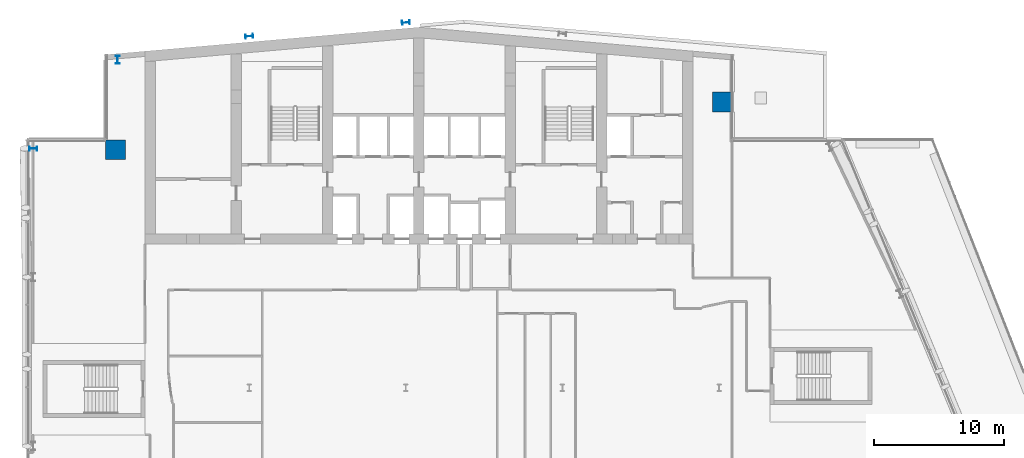
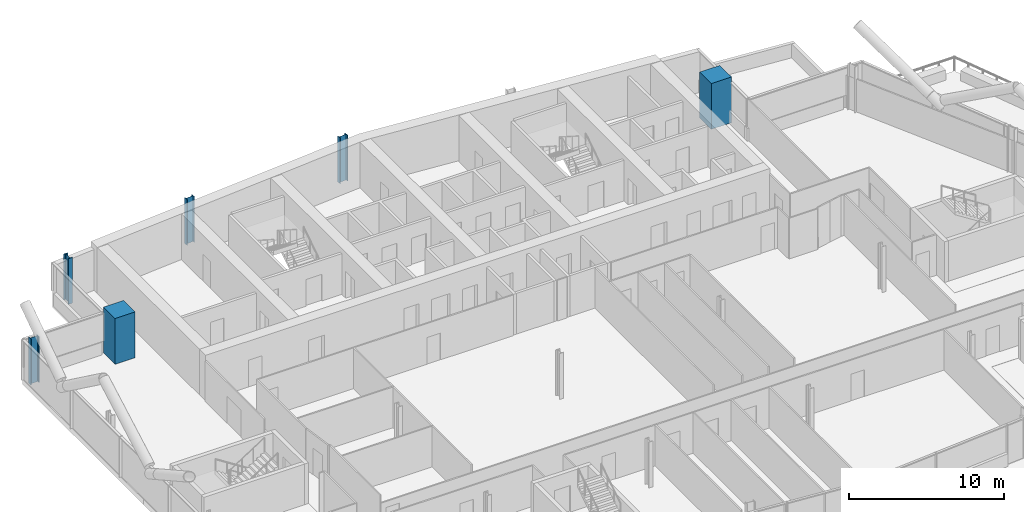
# One storey, part 3 of 30: 6 columns.
"""IFC4 building model written with IfcOpenShell, lengths in metres."""

from ifc_helpers import new_model, si_unit, direction, frame, origin, origin_2d, place, context, subcontext, project, spatial, rectangle, i_section, extrude, material, material_profile, profile_set, type_object, element, save


model = new_model("IFC4")

# Units and contexts
model_context = context("Model", 3, precision=1e-05, world=origin(), true_north=direction((0.0, 1.0)))
body_context = subcontext(model_context, "Body", "Model", "MODEL_VIEW")
ifc_project = project(units=[si_unit("LENGTHUNIT", "METRE"), si_unit("AREAUNIT", "SQUARE_METRE"), si_unit("VOLUMEUNIT", "CUBIC_METRE"), si_unit("PLANEANGLEUNIT", "RADIAN"), si_unit("MASSUNIT", "GRAM", prefix="KILO")], contexts=[model_context])

# Site, building, storey
site_placement = place(None, origin())
site = spatial("IfcSite", under=ifc_project, at=site_placement, CompositionType="ELEMENT")
building_placement = place(site_placement, origin())
building = spatial("IfcBuilding", under=site, at=building_placement, Name="Wharfspan Tower", CompositionType="ELEMENT")
storey_placement = place(building_placement, frame((0.0, 0.0, 151.899902)))
storey = spatial("IfcBuildingStorey", under=building, at=storey_placement, Name="L36", CompositionType="ELEMENT", Elevation=151.899902)

# Columns
ifc_material_1 = material(Name="Steel S355J2", Category="steel")
ifc_material_profile_1 = material_profile(ifc_material_1, i_section(OverallWidth=0.300049, OverallDepth=0.600098, WebThickness=0.015381, FlangeThickness=0.030029, FilletRadius=0.0271, at=origin_2d()))
ifc_profile_set_1 = profile_set([ifc_material_profile_1], Name="Steel S355J2")
column_type_1 = type_object("IfcColumnType", Name="Column HEB 600", PredefinedType="COLUMN", material=ifc_profile_set_1)
for number, where, z_axis, x_axis, name in (
    (1, (24.0, 49.937256, 0.0), (0.0, 0.0, 1.0), (-0.087156, 0.996198, 0.0), "Rear column R.1 L36"),
    (2, (36.0, 50.987061, 0.0), (0.0, 0.0, 1.0), (-0.087156, 0.996198, 0.0), "Rear column R.2 L36"),
):
    element("IfcColumn", number, at=place(storey_placement, frame(where, z_axis=z_axis, x_axis=x_axis)), inside=storey, type_object=column_type_1, Name=name, PredefinedType="COLUMN", context=body_context, shape_type="SweptSolid", body=[
        extrude(i_section(OverallWidth=0.300049, OverallDepth=0.600098, WebThickness=0.015381, FlangeThickness=0.030029, FilletRadius=0.0271, at=origin_2d()), origin(), (0.0, 0.0, 1.0), 3.600098),
    ])
ifc_material_profile_2 = material_profile(ifc_material_1, i_section(OverallWidth=0.304932, OverallDepth=0.620117, WebThickness=0.020996, FlangeThickness=0.040039, FilletRadius=0.0271, at=origin_2d()))
ifc_profile_set_2 = profile_set([ifc_material_profile_2], Name="Steel S355J2")
column_type_2 = type_object("IfcColumnType", Name="Column HEM 600", PredefinedType="COLUMN", material=ifc_profile_set_2)
for number, where, z_axis, x_axis, name in (
    (3, (13.911133, 48.141113, 0.0), (0.0, 0.0, 1.0), (-1.0, 0.0, 0.0), "Perimeter column PNRW-V.1 L36"),
    (4, (7.450439, 41.333008, 0.0), (0.0, 0.0, 1.0), (0.0, 1.0, 0.0), "Perimeter column PNRW-H.1 L36"),
):
    element("IfcColumn", number, at=place(storey_placement, frame(where, z_axis=z_axis, x_axis=x_axis)), inside=storey, type_object=column_type_2, Name=name, PredefinedType="COLUMN", context=body_context, shape_type="SweptSolid", body=[
        extrude(i_section(OverallWidth=0.304932, OverallDepth=0.620117, WebThickness=0.020996, FlangeThickness=0.040039, FilletRadius=0.0271, at=origin_2d()), origin(), (0.0, 0.0, 1.0), 3.600098),
    ])
ifc_material_2 = material(Name="Concrete C60/75", Category="concrete")
ifc_material_profile_3 = material_profile(ifc_material_2, rectangle(XDim=1.5, YDim=1.5, at=origin_2d()))
ifc_profile_set_3 = profile_set([ifc_material_profile_3], Name="Concrete C60/75")
column_type_3 = type_object("IfcColumnType", Name="Mega column 1500 C60/75", PredefinedType="COLUMN", material=ifc_profile_set_3)
for number, where, z_axis, x_axis, name in (
    (5, (13.75, 41.25, 0.0), (0.0, 0.0, 1.0), (1.0, 0.0, 0.0), "Mega column MC2 L36"),
    (6, (60.25, 44.899902, 0.0), (0.0, 0.0, 1.0), (1.0, 0.0, 0.0), "Mega column MC3 L36"),
):
    element("IfcColumn", number, at=place(storey_placement, frame(where, z_axis=z_axis, x_axis=x_axis)), inside=storey, type_object=column_type_3, Name=name, PredefinedType="COLUMN", context=body_context, shape_type="SweptSolid", body=[
        extrude(rectangle(XDim=1.5, YDim=1.5, at=origin_2d()), origin(), (0.0, 0.0, 1.0), 3.600098),
    ])

save(model, "model.ifc")
